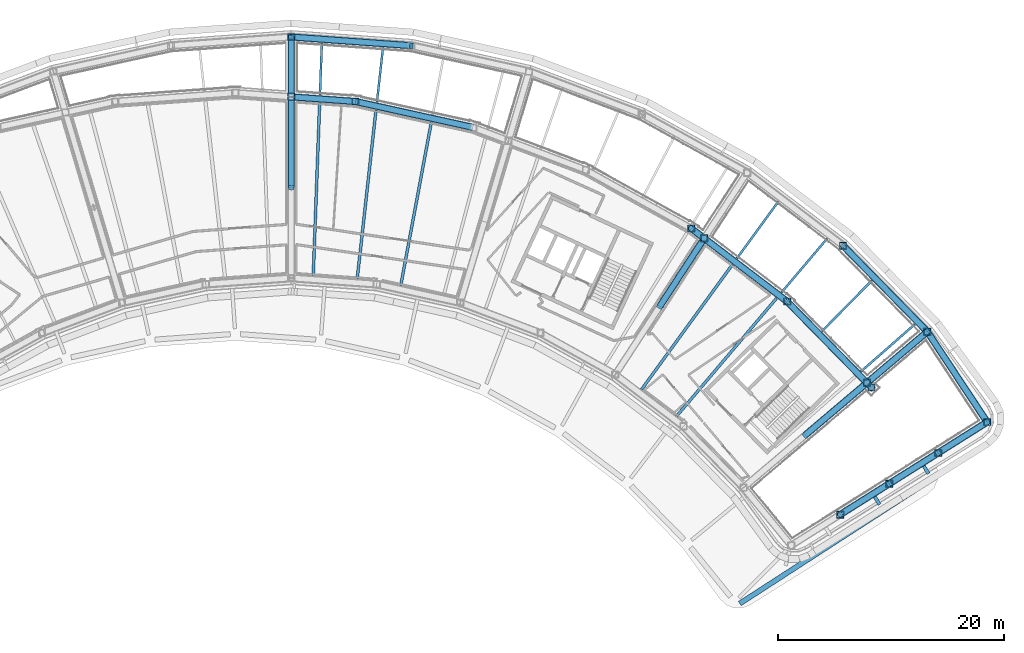
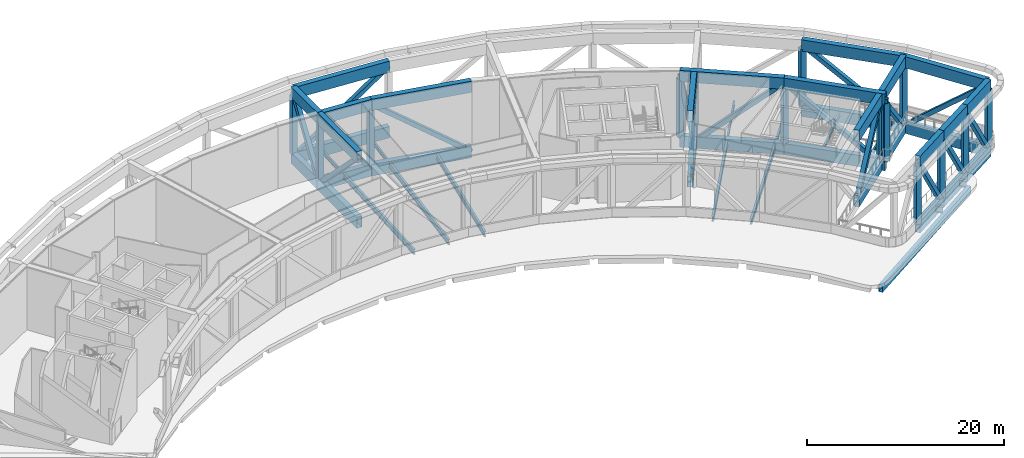
# One storey, part 4 of 27: 44 beams, 31 members.
"""IFC4 building model written with IfcOpenShell, lengths in metres."""

from ifc_helpers import new_model, si_unit, direction, frame, origin, origin_2d, place, context, subcontext, project, spatial, hollow_rectangle, i_section, extrude, material, material_profile, profile_set, type_object, element, save


model = new_model("IFC4")

# Units and contexts
model_context = context("Model", 3, precision=1e-05, world=origin(), true_north=direction((0.0, 1.0)))
body_context = subcontext(model_context, "Body", "Model", "MODEL_VIEW")
ifc_project = project(units=[si_unit("LENGTHUNIT", "METRE"), si_unit("AREAUNIT", "SQUARE_METRE"), si_unit("VOLUMEUNIT", "CUBIC_METRE"), si_unit("PLANEANGLEUNIT", "RADIAN"), si_unit("MASSUNIT", "GRAM", prefix="KILO")], contexts=[model_context])

# Site, building, storey
site_placement = place(None, origin())
site = spatial("IfcSite", under=ifc_project, at=site_placement, CompositionType="ELEMENT")
building_placement = place(site_placement, origin())
building = spatial("IfcBuilding", under=site, at=building_placement, Name="Tuul Gate Civic Tower", CompositionType="ELEMENT")
storey_placement = place(building_placement, frame((0.0, 0.0, 201.5)))
storey = spatial("IfcBuildingStorey", under=building, at=storey_placement, Name="Wind floor 1", CompositionType="ELEMENT", Elevation=201.5)

# Beams
ifc_material_1 = material(Name="Steel S355", Category="steel")
ifc_material_profile_1 = material_profile(ifc_material_1, i_section(OverallWidth=0.199951171875, OverallDepth=0.5, WebThickness=0.010009765625, FlangeThickness=0.01611328125, at=origin_2d()), Name="PG500x200x10x16")
ifc_profile_set_1 = profile_set([ifc_material_profile_1], Name="Steel S355")
beam_type_1 = type_object("IfcBeamType", Name="STR-FLOOR BEAM-PG500x200x10x16", PredefinedType="BEAM", material=ifc_profile_set_1)
beam_1_placement = place(storey_placement, frame((56.446044921875, -11.065673828125, -0.64990234375), z_axis=(0.752046754274, 0.659109762775, 0.0), x_axis=(-0.659109762775, 0.752046754274, 0.0)))
element("IfcBeam", 1, at=beam_1_placement, inside=storey, type_object=beam_type_1, Name="Floor beam", PredefinedType="BEAM", context=body_context, shape_type="SweptSolid", body=[
    extrude(i_section(OverallWidth=0.199951171875, OverallDepth=0.5, WebThickness=0.010009765625, FlangeThickness=0.01611328125, at=origin_2d()), origin(), (0.0, 0.0, 1.0), 6.309814453125),
])
beam_2_placement = place(storey_placement, frame((52.968994140625, -7.518798828125, -0.64990234375), z_axis=(0.701231873551, 0.712933278447, 0.0), x_axis=(-0.712933278447, 0.701231873551, 0.0)))
element("IfcBeam", 2, at=beam_2_placement, inside=storey, type_object=beam_type_1, Name="Floor beam", PredefinedType="BEAM", context=body_context, shape_type="SweptSolid", body=[
    extrude(i_section(OverallWidth=0.199951171875, OverallDepth=0.5, WebThickness=0.010009765625, FlangeThickness=0.01611328125, at=origin_2d()), origin(), (0.0, 0.0, 1.0), 6.301025390625),
])
beam_3_placement = place(storey_placement, frame((49.397705078125, -4.0625, -0.64990234375), z_axis=(0.646606141583, 0.762824027982, 0.0), x_axis=(-0.762824027982, 0.646606141583, 0.0)))
element("IfcBeam", 3, at=beam_3_placement, inside=storey, type_object=beam_type_1, Name="Floor beam", PredefinedType="BEAM", context=body_context, shape_type="SweptSolid", body=[
    extrude(i_section(OverallWidth=0.199951171875, OverallDepth=0.5, WebThickness=0.010009765625, FlangeThickness=0.01611328125, at=origin_2d()), origin(), (0.0, 0.0, 1.0), 6.245361328125),
])
beam_4_placement = place(storey_placement, frame((45.442626953125, -1.05126953125, -0.64990234375), z_axis=(0.588422974792, 0.808553277612, 0.0), x_axis=(-0.808553277612, 0.588422974792, 0.0)))
element("IfcBeam", 4, at=beam_4_placement, inside=storey, type_object=beam_type_1, Name="Floor beam", PredefinedType="BEAM", context=body_context, shape_type="SweptSolid", body=[
    extrude(i_section(OverallWidth=0.199951171875, OverallDepth=0.5, WebThickness=0.010009765625, FlangeThickness=0.01611328125, at=origin_2d()), origin(), (0.0, 0.0, 1.0), 6.238525390625),
])
beam_5_placement = place(storey_placement, frame((13.533203125, 12.784912109375, -0.64990234375), z_axis=(0.110783640195, 0.993844547736, 0.0), x_axis=(-0.993844547736, 0.110783640195, 0.0)))
element("IfcBeam", 5, at=beam_5_placement, inside=storey, type_object=beam_type_1, Name="Floor beam", PredefinedType="BEAM", context=body_context, shape_type="SweptSolid", body=[
    extrude(i_section(OverallWidth=0.199951171875, OverallDepth=0.5, WebThickness=0.010009765625, FlangeThickness=0.01611328125, at=origin_2d()), origin(), (0.0, 0.0, 1.0), 4.870361328125),
])
beam_6_placement = place(storey_placement, frame((8.485107421875, 13.423583984375, -0.64990234375), z_axis=(0.037015588974, 0.99931468826, 0.0), x_axis=(-0.99931468826, 0.037015588974, 0.0)))
element("IfcBeam", 6, at=beam_6_placement, inside=storey, type_object=beam_type_1, Name="Floor beam", PredefinedType="BEAM", context=body_context, shape_type="SweptSolid", body=[
    extrude(i_section(OverallWidth=0.199951171875, OverallDepth=0.5, WebThickness=0.010009765625, FlangeThickness=0.01611328125, at=origin_2d()), origin(), (0.0, 0.0, 1.0), 4.59716796875),
])
ifc_material_2 = material(Name="Steel S355", Category="steel")
ifc_material_profile_2 = material_profile(ifc_material_2, i_section(OverallWidth=0.25, OverallDepth=0.64990234375, WebThickness=0.011962890625, FlangeThickness=0.02001953125, at=origin_2d()), Name="PG650x250x12x20")
ifc_profile_set_2 = profile_set([ifc_material_profile_2], Name="Steel S355")
beam_type_2 = type_object("IfcBeamType", Name="STR-FLOOR BEAM-PG650x250x12x20", PredefinedType="BEAM", material=ifc_profile_set_2)
beam_7_placement = place(storey_placement, frame((40.097412109375, -15.03466796875, -0.72509765625), z_axis=(0.64659949061, 0.762829665615, 0.0), x_axis=(-0.762829665615, 0.64659949061, 0.0)))
element("IfcBeam", 7, at=beam_7_placement, inside=storey, type_object=beam_type_2, Name="Floor beam", PredefinedType="BEAM", context=body_context, shape_type="SweptSolid", body=[
    extrude(i_section(OverallWidth=0.25, OverallDepth=0.64990234375, WebThickness=0.011962890625, FlangeThickness=0.02001953125, at=origin_2d()), origin(), (0.0, 0.0, 1.0), 13.6826171875),
])
beam_8_placement = place(storey_placement, frame((36.98876953125, -12.667724609375, -0.72509765625), z_axis=(0.588419157636, 0.808556055525, 0.0), x_axis=(-0.808556055525, 0.588419157636, 0.0)))
element("IfcBeam", 8, at=beam_8_placement, inside=storey, type_object=beam_type_2, Name="Floor beam", PredefinedType="BEAM", context=body_context, shape_type="SweptSolid", body=[
    extrude(i_section(OverallWidth=0.25, OverallDepth=0.64990234375, WebThickness=0.011962890625, FlangeThickness=0.02001953125, at=origin_2d()), origin(), (0.0, 0.0, 1.0), 13.666748046875),
])
beam_9_placement = place(storey_placement, frame((15.650146484375, -3.451904296875, -0.72509765625), z_axis=(0.18398085358, 0.982929827361, 0.0), x_axis=(-0.982929827361, 0.18398085358, 0.0)))
element("IfcBeam", 9, at=beam_9_placement, inside=storey, type_object=beam_type_2, Name="Floor beam", PredefinedType="BEAM", context=body_context, shape_type="SweptSolid", body=[
    extrude(i_section(OverallWidth=0.25, OverallDepth=0.64990234375, WebThickness=0.011962890625, FlangeThickness=0.02001953125, at=origin_2d()), origin(), (0.0, 0.0, 1.0), 14.708251953125),
])
beam_10_placement = place(storey_placement, frame((11.788818359375, -2.863037109375, -0.72509765625), z_axis=(0.11078069669, 0.993844875844, 0.0), x_axis=(-0.993844875844, 0.11078069669, 0.0)))
element("IfcBeam", 10, at=beam_10_placement, inside=storey, type_object=beam_type_2, Name="Floor beam", PredefinedType="BEAM", context=body_context, shape_type="SweptSolid", body=[
    extrude(i_section(OverallWidth=0.25, OverallDepth=0.64990234375, WebThickness=0.011962890625, FlangeThickness=0.02001953125, at=origin_2d()), origin(), (0.0, 0.0, 1.0), 15.041015625),
])
beam_11_placement = place(storey_placement, frame((7.892578125, -2.58056640625, -0.72509765625), z_axis=(0.037000457711, 0.999315248622, 0.0), x_axis=(-0.999315248622, 0.037000457711, 0.0)))
element("IfcBeam", 11, at=beam_11_placement, inside=storey, type_object=beam_type_2, Name="Floor beam", PredefinedType="BEAM", context=body_context, shape_type="SweptSolid", body=[
    extrude(i_section(OverallWidth=0.25, OverallDepth=0.64990234375, WebThickness=0.011962890625, FlangeThickness=0.02001953125, at=origin_2d()), origin(), (0.0, 0.0, 1.0), 15.314697265625),
])
ifc_material_3 = material(Name="Steel S355", Category="steel")
ifc_material_profile_3 = material_profile(ifc_material_3, i_section(OverallWidth=0.300048828125, OverallDepth=0.800048828125, WebThickness=0.013916015625, FlangeThickness=0.02490234375, at=origin_2d()), Name="PG800x300x14x25")
ifc_profile_set_3 = profile_set([ifc_material_profile_3], Name="Steel S355")
beam_type_3 = type_object("IfcBeamType", Name="STR-FLOOR BEAM-PG800x300x14x25", PredefinedType="BEAM", material=ifc_profile_set_3)
beam_12_placement = place(storey_placement, frame((62.421142578125, -20.13232421875, -0.800048828125), z_axis=(-0.533007130876, 0.846110748328, 0.0), x_axis=(-0.846110748328, -0.533007130876, 0.0)))
element("IfcBeam", 12, at=beam_12_placement, inside=storey, type_object=beam_type_3, Name="Terrace beam", PredefinedType="BEAM", context=body_context, shape_type="SweptSolid", body=[
    extrude(i_section(OverallWidth=0.300048828125, OverallDepth=0.800048828125, WebThickness=0.013916015625, FlangeThickness=0.02490234375, at=origin_2d()), origin(), (0.0, 0.0, 1.0), 0.801513671875),
])
beam_13_placement = place(storey_placement, frame((58.078125, -22.8662109375, -0.800048828125), z_axis=(-0.532902261273, 0.846176801815, 0.0), x_axis=(-0.846176801815, -0.532902261273, 0.0)))
element("IfcBeam", 13, at=beam_13_placement, inside=storey, type_object=beam_type_3, Name="Terrace beam", PredefinedType="BEAM", context=body_context, shape_type="SweptSolid", body=[
    extrude(i_section(OverallWidth=0.300048828125, OverallDepth=0.800048828125, WebThickness=0.013916015625, FlangeThickness=0.02490234375, at=origin_2d()), origin(), (0.0, 0.0, 1.0), 0.80029296875),
])
ifc_material_4 = material(Name="Steel S355", Category="steel")
ifc_material_profile_4 = material_profile(ifc_material_4, hollow_rectangle(XDim=0.449951171875, YDim=0.89990234375, WallThickness=0.02490234375, at=origin_2d()), Name="BOX900x450x25")
ifc_profile_set_4 = profile_set([ifc_material_profile_4], Name="Steel S355")
beam_type_4 = type_object("IfcBeamType", Name="STR-SPANDREL BEAM-BOX900x450x25", PredefinedType="BEAM", material=ifc_profile_set_4)
beam_14_placement = place(storey_placement, frame((45.698486328125, -31.638671875, -0.85009765625), z_axis=(0.839483418341, 0.54338530559, 0.0), x_axis=(-0.54338530559, 0.839483418341, 0.0)))
element("IfcBeam", 14, at=beam_14_placement, inside=storey, type_object=beam_type_4, Name="Terrace edge beam", PredefinedType="BEAM", context=body_context, shape_type="SweptSolid", body=[
    extrude(hollow_rectangle(XDim=0.449951171875, YDim=0.89990234375, WallThickness=0.02490234375, at=origin_2d()), origin(), (0.0, 0.0, 1.0), 19.7119140625),
])
ifc_material_5 = material(Name="Steel S460", Category="steel")
ifc_material_profile_5 = material_profile(ifc_material_5, hollow_rectangle(XDim=0.60009765625, YDim=1.39990234375, WallThickness=0.031982421875, at=origin_2d()), Name="BOX1400x600x32")
ifc_profile_set_5 = profile_set([ifc_material_profile_5], Name="Steel S460")
beam_type_5 = type_object("IfcBeamType", Name="STR-TRANSFER TRUSS CHORD-BOX1400x600x32", PredefinedType="BEAM", material=ifc_profile_set_5)
for number, where, z_axis, x_axis, name in (
    (15, (42.375, 0.467529296875, -1.10009765625), (-0.546713472046, -0.837319759401, 0.0), (0.837319759401, -0.546713472046, 0.0), "Radial truss bottom chord"),
    (16, (42.375, 0.467529296875, 7.0), (-0.546713472046, -0.837319759401, 0.0), (0.837319759401, -0.546713472046, 0.0), "Radial truss top chord"),
):
    element("IfcBeam", number, at=place(storey_placement, frame(where, z_axis=z_axis, x_axis=x_axis)), inside=storey, type_object=beam_type_5, Name=name, PredefinedType="BEAM", context=body_context, shape_type="SweptSolid", body=[
        extrude(hollow_rectangle(XDim=0.60009765625, YDim=1.39990234375, WallThickness=0.031982421875, at=origin_2d()), origin(), (0.0, 0.0, 1.0), 6.89990234375),
    ])
beam_15_placement = place(storey_placement, frame((62.31201171875, -7.550048828125, -1.10009765625), z_axis=(-0.762829057606, -0.646600207912, 0.0), x_axis=(0.646600207912, -0.762829057606, 0.0)))
element("IfcBeam", 17, at=beam_15_placement, inside=storey, type_object=beam_type_5, Name="Radial truss bottom chord", PredefinedType="BEAM", context=body_context, shape_type="SweptSolid", body=[
    extrude(hollow_rectangle(XDim=0.60009765625, YDim=1.39990234375, WallThickness=0.031982421875, at=origin_2d()), origin(), (0.0, 0.0, 1.0), 6.717529296875),
])
beam_16_placement = place(storey_placement, frame((56.728759765625, -12.28271484375, -1.10009765625), z_axis=(-0.762833192599, -0.646595329607, 0.0), x_axis=(0.646595329607, -0.762833192599, 0.0)))
element("IfcBeam", 18, at=beam_16_placement, inside=storey, type_object=beam_type_5, Name="Radial truss bottom chord", PredefinedType="BEAM", context=body_context, shape_type="SweptSolid", body=[
    extrude(hollow_rectangle(XDim=0.60009765625, YDim=1.39990234375, WallThickness=0.031982421875, at=origin_2d()), origin(), (0.0, 0.0, 1.0), 6.8681640625),
])
beam_17_placement = place(storey_placement, frame((62.31201171875, -7.550048828125, 7.0), z_axis=(-0.762829057606, -0.646600207912, 0.0), x_axis=(0.646600207912, -0.762829057606, 0.0)))
element("IfcBeam", 19, at=beam_17_placement, inside=storey, type_object=beam_type_5, Name="Radial truss top chord", PredefinedType="BEAM", context=body_context, shape_type="SweptSolid", body=[
    extrude(hollow_rectangle(XDim=0.60009765625, YDim=1.39990234375, WallThickness=0.031982421875, at=origin_2d()), origin(), (0.0, 0.0, 1.0), 6.717529296875),
])
beam_18_placement = place(storey_placement, frame((56.728759765625, -12.28271484375, 7.0), z_axis=(-0.762833192599, -0.646595329607, 0.0), x_axis=(0.646595329607, -0.762833192599, 0.0)))
element("IfcBeam", 20, at=beam_18_placement, inside=storey, type_object=beam_type_5, Name="Radial truss top chord", PredefinedType="BEAM", context=body_context, shape_type="SweptSolid", body=[
    extrude(hollow_rectangle(XDim=0.60009765625, YDim=1.39990234375, WallThickness=0.031982421875, at=origin_2d()), origin(), (0.0, 0.0, 1.0), 6.8681640625),
])
beam_19_placement = place(storey_placement, frame((5.93994140625, 18.56494140625, -1.10009765625), z_axis=(0.0, -1.0, 0.0), x_axis=(1.0, 0.0, 0.0)))
element("IfcBeam", 21, at=beam_19_placement, inside=storey, type_object=beam_type_5, Name="Radial truss bottom chord", PredefinedType="BEAM", context=body_context, shape_type="SweptSolid", body=[
    extrude(hollow_rectangle(XDim=0.60009765625, YDim=1.39990234375, WallThickness=0.031982421875, at=origin_2d()), origin(), (0.0, 0.0, 1.0), 5.307861328125),
])
beam_20_placement = place(storey_placement, frame((5.93994140625, 13.257080078125, -1.10009765625), z_axis=(0.0, -1.0, 0.0), x_axis=(1.0, 0.0, 0.0)))
element("IfcBeam", 22, at=beam_20_placement, inside=storey, type_object=beam_type_5, Name="Radial truss bottom chord", PredefinedType="BEAM", context=body_context, shape_type="SweptSolid", body=[
    extrude(hollow_rectangle(XDim=0.60009765625, YDim=1.39990234375, WallThickness=0.031982421875, at=origin_2d()), origin(), (0.0, 0.0, 1.0), 8.0234375),
])
beam_21_placement = place(storey_placement, frame((5.93994140625, 18.56494140625, 7.0), z_axis=(0.0, -1.0, 0.0), x_axis=(1.0, 0.0, 0.0)))
element("IfcBeam", 23, at=beam_21_placement, inside=storey, type_object=beam_type_5, Name="Radial truss top chord", PredefinedType="BEAM", context=body_context, shape_type="SweptSolid", body=[
    extrude(hollow_rectangle(XDim=0.60009765625, YDim=1.39990234375, WallThickness=0.031982421875, at=origin_2d()), origin(), (0.0, 0.0, 1.0), 5.307861328125),
])
beam_22_placement = place(storey_placement, frame((5.93994140625, 13.257080078125, 7.0), z_axis=(0.0, -1.0, 0.0), x_axis=(1.0, 0.0, 0.0)))
element("IfcBeam", 24, at=beam_22_placement, inside=storey, type_object=beam_type_5, Name="Radial truss top chord", PredefinedType="BEAM", context=body_context, shape_type="SweptSolid", body=[
    extrude(hollow_rectangle(XDim=0.60009765625, YDim=1.39990234375, WallThickness=0.031982421875, at=origin_2d()), origin(), (0.0, 0.0, 1.0), 8.0234375),
])
for number, where, z_axis, x_axis, name in (
    (25, (22.06689453125, 10.5458984375, -1.10009765625), (-0.976566967592, 0.215213749115, 0.0), (-0.215213749115, -0.976566967592, 0.0), "Belt truss bottom chord"),
    (26, (22.06689453125, 10.5458984375, 7.0), (-0.976566967592, 0.215213749115, 0.0), (-0.215213749115, -0.976566967592, 0.0), "Belt truss top chord"),
):
    element("IfcBeam", number, at=place(storey_placement, frame(where, z_axis=z_axis, x_axis=x_axis)), inside=storey, type_object=beam_type_5, Name=name, PredefinedType="BEAM", context=body_context, shape_type="SweptSolid", body=[
        extrude(hollow_rectangle(XDim=0.60009765625, YDim=1.39990234375, WallThickness=0.031982421875, at=origin_2d()), origin(), (0.0, 0.0, 1.0), 10.67822265625),
    ])
for number, where, z_axis, x_axis, name in (
    (27, (57.362060546875, -12.5, -1.10009765625), (-0.700052665808, 0.714091216229, 0.0), (-0.714091216229, -0.700052665808, 0.0), "Belt truss bottom chord"),
    (28, (57.362060546875, -12.5, 7.0), (-0.700052665808, 0.714091216229, 0.0), (-0.714091216229, -0.700052665808, 0.0), "Belt truss top chord"),
    (29, (62.31201171875, -7.550048828125, -1.10009765625), (-0.700052665808, 0.714091216229, 0.0), (-0.714091216229, -0.700052665808, 0.0), "Belt truss bottom chord"),
    (30, (62.31201171875, -7.550048828125, 7.0), (-0.700052665808, 0.714091216229, 0.0), (-0.714091216229, -0.700052665808, 0.0), "Belt truss top chord"),
):
    element("IfcBeam", number, at=place(storey_placement, frame(where, z_axis=z_axis, x_axis=x_axis)), inside=storey, type_object=beam_type_5, Name=name, PredefinedType="BEAM", context=body_context, shape_type="SweptSolid", body=[
        extrude(hollow_rectangle(XDim=0.60009765625, YDim=1.39990234375, WallThickness=0.031982421875, at=origin_2d()), origin(), (0.0, 0.0, 1.0), 10.677978515625),
    ])
for number, where, z_axis, x_axis, name in (
    (31, (49.886962890625, -4.875, -1.10009765625), (-0.795624318965, 0.605790345806, 0.0), (-0.605790345806, -0.795624318965, 0.0), "Belt truss bottom chord"),
    (32, (49.886962890625, -4.875, 7.0), (-0.795624318965, 0.605790345806, 0.0), (-0.605790345806, -0.795624318965, 0.0), "Belt truss top chord"),
):
    element("IfcBeam", number, at=place(storey_placement, frame(where, z_axis=z_axis, x_axis=x_axis)), inside=storey, type_object=beam_type_5, Name=name, PredefinedType="BEAM", context=body_context, shape_type="SweptSolid", body=[
        extrude(hollow_rectangle(XDim=0.60009765625, YDim=1.39990234375, WallThickness=0.031982421875, at=origin_2d()), origin(), (0.0, 0.0, 1.0), 10.677001953125),
    ])
for number, where, z_axis, x_axis, name in (
    (33, (11.638916015625, 12.843994140625, -1.10009765625), (-0.997383052306, 0.072298319293, 0.0), (-0.072298319293, -0.997383052306, 0.0), "Belt truss bottom chord"),
    (34, (11.638916015625, 12.843994140625, 7.0), (-0.997383052306, 0.072298319293, 0.0), (-0.072298319293, -0.997383052306, 0.0), "Belt truss top chord"),
):
    element("IfcBeam", number, at=place(storey_placement, frame(where, z_axis=z_axis, x_axis=x_axis)), inside=storey, type_object=beam_type_5, Name=name, PredefinedType="BEAM", context=body_context, shape_type="SweptSolid", body=[
        extrude(hollow_rectangle(XDim=0.60009765625, YDim=1.39990234375, WallThickness=0.031982421875, at=origin_2d()), origin(), (0.0, 0.0, 1.0), 5.4130859375),
    ])
for number, where, z_axis, x_axis, name in (
    (35, (16.589111328125, 17.7939453125, -1.10009765625), (-0.997389404407, 0.07221063617, 0.0), (-0.07221063617, -0.997389404407, 0.0), "Belt truss bottom chord"),
    (36, (16.589111328125, 17.7939453125, 7.0), (-0.997389404407, 0.07221063617, 0.0), (-0.07221063617, -0.997389404407, 0.0), "Belt truss top chord"),
):
    element("IfcBeam", number, at=place(storey_placement, frame(where, z_axis=z_axis, x_axis=x_axis)), inside=storey, type_object=beam_type_5, Name=name, PredefinedType="BEAM", context=body_context, shape_type="SweptSolid", body=[
        extrude(hollow_rectangle(XDim=0.60009765625, YDim=1.39990234375, WallThickness=0.031982421875, at=origin_2d()), origin(), (0.0, 0.0, 1.0), 10.677001953125),
    ])
for number, where, z_axis, x_axis, name in (
    (37, (67.611083984375, -15.56298828125, -1.10009765625), (-0.551605665118, 0.834105023489, 0.0), (-0.834105023489, -0.551605665118, 0.0), "Belt truss bottom chord"),
    (38, (67.611083984375, -15.56298828125, 7.0), (-0.551605665118, 0.834105023489, 0.0), (-0.834105023489, -0.551605665118, 0.0), "Belt truss top chord"),
):
    element("IfcBeam", number, at=place(storey_placement, frame(where, z_axis=z_axis, x_axis=x_axis)), inside=storey, type_object=beam_type_5, Name=name, PredefinedType="BEAM", context=body_context, shape_type="SweptSolid", body=[
        extrude(hollow_rectangle(XDim=0.60009765625, YDim=1.39990234375, WallThickness=0.031982421875, at=origin_2d()), origin(), (0.0, 0.0, 1.0), 9.606689453125),
    ])
for number, where, z_axis, x_axis, name in (
    (39, (54.5830078125, -23.76708984375, -1.10009765625), (0.846178819959, 0.53289905672, 0.0), (-0.53289905672, 0.846178819959, 0.0), "Belt truss bottom chord"),
    (40, (54.5830078125, -23.76708984375, 7.0), (0.846178819959, 0.53289905672, 0.0), (-0.53289905672, 0.846178819959, 0.0), "Belt truss top chord"),
):
    element("IfcBeam", number, at=place(storey_placement, frame(where, z_axis=z_axis, x_axis=x_axis)), inside=storey, type_object=beam_type_5, Name=name, PredefinedType="BEAM", context=body_context, shape_type="SweptSolid", body=[
        extrude(hollow_rectangle(XDim=0.60009765625, YDim=1.39990234375, WallThickness=0.031982421875, at=origin_2d()), origin(), (0.0, 0.0, 1.0), 5.132568359375),
    ])
for number, where, z_axis, x_axis, name in (
    (41, (63.26806640625, -18.297119140625, -1.10009765625), (0.846264615796, 0.53276279905, 0.0), (-0.53276279905, 0.846264615796, 0.0), "Belt truss bottom chord"),
    (42, (63.26806640625, -18.297119140625, 7.0), (0.846264615796, 0.53276279905, 0.0), (-0.53276279905, 0.846264615796, 0.0), "Belt truss top chord"),
):
    element("IfcBeam", number, at=place(storey_placement, frame(where, z_axis=z_axis, x_axis=x_axis)), inside=storey, type_object=beam_type_5, Name=name, PredefinedType="BEAM", context=body_context, shape_type="SweptSolid", body=[
        extrude(hollow_rectangle(XDim=0.60009765625, YDim=1.39990234375, WallThickness=0.031982421875, at=origin_2d()), origin(), (0.0, 0.0, 1.0), 5.132080078125),
    ])
for number, where, z_axis, x_axis, name in (
    (43, (58.926025390625, -21.031982421875, -1.10009765625), (0.846146228652, 0.532950804237, 0.0), (-0.532950804237, 0.846146228652, 0.0), "Belt truss bottom chord"),
    (44, (58.926025390625, -21.031982421875, 7.0), (0.846146228652, 0.532950804237, 0.0), (-0.532950804237, 0.846146228652, 0.0), "Belt truss top chord"),
):
    element("IfcBeam", number, at=place(storey_placement, frame(where, z_axis=z_axis, x_axis=x_axis)), inside=storey, type_object=beam_type_5, Name=name, PredefinedType="BEAM", context=body_context, shape_type="SweptSolid", body=[
        extrude(hollow_rectangle(XDim=0.60009765625, YDim=1.39990234375, WallThickness=0.031982421875, at=origin_2d()), origin(), (0.0, 0.0, 1.0), 5.131591796875),
    ])

# Members
ifc_material_6 = material(Name="Steel S355", Category="steel")
ifc_material_profile_6 = material_profile(ifc_material_6, hollow_rectangle(XDim=0.5, YDim=0.5, WallThickness=0.02001953125, at=origin_2d()), Name="BOX500x500x20")
ifc_profile_set_6 = profile_set([ifc_material_profile_6], Name="Steel S355")
member_type_1 = type_object("IfcMemberType", Name="STR-TRANSFER TRUSS DIAGONAL-BOX500x500x20", PredefinedType="BRACE", material=ifc_profile_set_6)
member_1_placement = place(storey_placement, frame((38.600830078125, -5.3125, -1.103759765625), z_axis=(0.36324731629, 0.556304037426, 0.747380227965), x_axis=(-0.837307215593, 0.546732683051, 0.0)))
element("IfcMember", 45, at=member_1_placement, inside=storey, type_object=member_type_1, Name="Radial truss web", PredefinedType="BRACE", context=body_context, shape_type="SweptSolid", body=[
    extrude(hollow_rectangle(XDim=0.5, YDim=0.5, WallThickness=0.02001953125, at=origin_2d()), origin(), (0.0, 0.0, 1.0), 10.847900390625),
])
member_2_placement = place(storey_placement, frame((62.314453125, -7.5478515625, -1.103759765625), z_axis=(-0.499523433728, -0.423442207296, 0.755759906476), x_axis=(0.646625909563, -0.762807271257, 0.0)))
element("IfcMember", 46, at=member_2_placement, inside=storey, type_object=member_type_1, Name="Radial truss web", PredefinedType="BRACE", context=body_context, shape_type="SweptSolid", body=[
    extrude(hollow_rectangle(XDim=0.5, YDim=0.5, WallThickness=0.02001953125, at=origin_2d()), origin(), (0.0, 0.0, 1.0), 10.7275390625),
])
member_3_placement = place(storey_placement, frame((51.487060546875, -16.7255859375, -1.103759765625), z_axis=(0.50556829933, 0.428537910815, 0.748836399828), x_axis=(-0.646600902187, 0.762828469114, 0.0)))
element("IfcMember", 47, at=member_3_placement, inside=storey, type_object=member_type_1, Name="Radial truss web", PredefinedType="BRACE", context=body_context, shape_type="SweptSolid", body=[
    extrude(hollow_rectangle(XDim=0.5, YDim=0.5, WallThickness=0.02001953125, at=origin_2d()), origin(), (0.0, 0.0, 1.0), 10.82666015625),
])
member_4_placement = place(storey_placement, frame((5.93994140625, 13.25439453125, -1.104248046875), z_axis=(0.0, 0.54808640913, 0.836421716676), x_axis=(-1.0, 0.0, 0.0)))
element("IfcMember", 48, at=member_4_placement, inside=storey, type_object=member_type_1, Name="Radial truss web", PredefinedType="BRACE", context=body_context, shape_type="SweptSolid", body=[
    extrude(hollow_rectangle(XDim=0.5, YDim=0.5, WallThickness=0.02001953125, at=origin_2d()), origin(), (0.0, 0.0, 1.0), 9.694091796875),
])
member_5_placement = place(storey_placement, frame((5.93994140625, 13.2607421875, -1.103515625), z_axis=(0.0, -0.703750615051, 0.710447092904), x_axis=(1.0, 0.0, 0.0)))
element("IfcMember", 49, at=member_5_placement, inside=storey, type_object=member_type_1, Name="Radial truss web", PredefinedType="BRACE", context=body_context, shape_type="SweptSolid", body=[
    extrude(hollow_rectangle(XDim=0.5, YDim=0.5, WallThickness=0.02001953125, at=origin_2d()), origin(), (0.0, 0.0, 1.0), 11.411376953125),
])
member_6_placement = place(storey_placement, frame((22.07080078125, 10.545166015625, -1.10302734375), z_axis=(-0.778051119542, 0.171464300996, 0.604347953469), x_axis=(-0.215212614128, -0.976567217717, 0.0)))
element("IfcMember", 50, at=member_6_placement, inside=storey, type_object=member_type_1, Name="Belt truss web", PredefinedType="BRACE", context=body_context, shape_type="SweptSolid", body=[
    extrude(hollow_rectangle(XDim=0.5, YDim=0.5, WallThickness=0.02001953125, at=origin_2d()), origin(), (0.0, 0.0, 1.0), 13.412841796875),
])
member_7_placement = place(storey_placement, frame((56.9580078125, -12.087890625, -1.10498046875), z_axis=(0.049726577753, -0.050717505933, 0.997474311477), x_axis=(0.714047975114, 0.700096771337, 0.0)))
element("IfcMember", 51, at=member_7_placement, inside=storey, type_object=member_type_1, Name="Belt truss web", PredefinedType="BRACE", context=body_context, shape_type="SweptSolid", body=[
    extrude(hollow_rectangle(XDim=0.5, YDim=0.5, WallThickness=0.02001953125, at=origin_2d()), origin(), (0.0, 0.0, 1.0), 8.13037109375),
])
member_8_placement = place(storey_placement, frame((56.9609375, -12.0908203125, -1.10302734375), z_axis=(-0.546144534542, 0.557091542566, 0.625599840626), x_axis=(-0.714087989901, -0.70005595682, 0.0)))
element("IfcMember", 52, at=member_8_placement, inside=storey, type_object=member_type_1, Name="Belt truss web", PredefinedType="BRACE", context=body_context, shape_type="SweptSolid", body=[
    extrude(hollow_rectangle(XDim=0.5, YDim=0.5, WallThickness=0.02001953125, at=origin_2d()), origin(), (0.0, 0.0, 1.0), 12.95751953125),
])
member_9_placement = place(storey_placement, frame((62.314697265625, -7.552734375, -1.10302734375), z_axis=(-0.557731291457, 0.568925963267, 0.604366655971), x_axis=(-0.714097473294, -0.70004628321, 0.0)))
element("IfcMember", 53, at=member_9_placement, inside=storey, type_object=member_type_1, Name="Belt truss web", PredefinedType="BRACE", context=body_context, shape_type="SweptSolid", body=[
    extrude(hollow_rectangle(XDim=0.5, YDim=0.5, WallThickness=0.02001953125, at=origin_2d()), origin(), (0.0, 0.0, 1.0), 13.412353515625),
])
member_10_placement = place(storey_placement, frame((42.536376953125, 0.7216796875, -1.103271484375), z_axis=(0.598143336398, -0.45541902834, 0.659407353423), x_axis=(0.605782933009, 0.795629963033, 0.0)))
element("IfcMember", 54, at=member_10_placement, inside=storey, type_object=member_type_1, Name="Belt truss web", PredefinedType="BRACE", context=body_context, shape_type="SweptSolid", body=[
    extrude(hollow_rectangle(XDim=0.5, YDim=0.5, WallThickness=0.02001953125, at=origin_2d()), origin(), (0.0, 0.0, 1.0), 12.2939453125),
])
member_11_placement = place(storey_placement, frame((42.5400390625, 0.71875, -1.10498046875), z_axis=(-0.13944732678, 0.106193362774, 0.984518873743), x_axis=(-0.605854698871, -0.795575316268, 0.0)))
element("IfcMember", 55, at=member_11_placement, inside=storey, type_object=member_type_1, Name="Belt truss web", PredefinedType="BRACE", context=body_context, shape_type="SweptSolid", body=[
    extrude(hollow_rectangle(XDim=0.5, YDim=0.5, WallThickness=0.02001953125, at=origin_2d()), origin(), (0.0, 0.0, 1.0), 8.2373046875),
])
member_12_placement = place(storey_placement, frame((11.641845703125, 12.84375, -1.10400390625), z_axis=(-0.574932361616, 0.041679951238, 0.8171386426), x_axis=(-0.072305644331, -0.997382521302, 0.0)))
element("IfcMember", 56, at=member_12_placement, inside=storey, type_object=member_type_1, Name="Belt truss web", PredefinedType="BRACE", context=body_context, shape_type="SweptSolid", body=[
    extrude(hollow_rectangle(XDim=0.5, YDim=0.5, WallThickness=0.02001953125, at=origin_2d()), origin(), (0.0, 0.0, 1.0), 9.922607421875),
])
member_13_placement = place(storey_placement, frame((5.93603515625, 18.565185546875, -1.10302734375), z_axis=(0.7946049353, -0.057523346442, 0.604395616637), x_axis=(0.072203435551, 0.997389925703, 0.0)))
element("IfcMember", 57, at=member_13_placement, inside=storey, type_object=member_type_1, Name="Belt truss web", PredefinedType="BRACE", context=body_context, shape_type="SweptSolid", body=[
    extrude(hollow_rectangle(XDim=0.5, YDim=0.5, WallThickness=0.02001953125, at=origin_2d()), origin(), (0.0, 0.0, 1.0), 13.41162109375),
])
member_14_placement = place(storey_placement, frame((62.309814453125, -7.546875, -1.103271484375), z_axis=(0.421704824659, -0.637682459054, 0.644613157075), x_axis=(0.834107292134, 0.551602234594, 0.0)))
element("IfcMember", 58, at=member_14_placement, inside=storey, type_object=member_type_1, Name="Belt truss web", PredefinedType="BRACE", context=body_context, shape_type="SweptSolid", body=[
    extrude(hollow_rectangle(XDim=0.5, YDim=0.5, WallThickness=0.02001953125, at=origin_2d()), origin(), (0.0, 0.0, 1.0), 12.57568359375),
])
member_15_placement = place(storey_placement, frame((58.92822265625, -21.030517578125, -1.104248046875), z_axis=(-0.452900573898, -0.285215198275, 0.844709039158), x_axis=(0.532887628263, -0.846186017164, 0.0)))
element("IfcMember", 59, at=member_15_placement, inside=storey, type_object=member_type_1, Name="Belt truss web", PredefinedType="BRACE", context=body_context, shape_type="SweptSolid", body=[
    extrude(hollow_rectangle(XDim=0.5, YDim=0.5, WallThickness=0.02001953125, at=origin_2d()), origin(), (0.0, 0.0, 1.0), 9.59912109375),
])
member_16_placement = place(storey_placement, frame((67.61328125, -15.5615234375, -1.104248046875), z_axis=(-0.452933930528, -0.285118450203, 0.844723815179), x_axis=(0.53273007895, -0.846285213732, 0.0)))
element("IfcMember", 60, at=member_16_placement, inside=storey, type_object=member_type_1, Name="Belt truss web", PredefinedType="BRACE", context=body_context, shape_type="SweptSolid", body=[
    extrude(hollow_rectangle(XDim=0.5, YDim=0.5, WallThickness=0.02001953125, at=origin_2d()), origin(), (0.0, 0.0, 1.0), 9.598876953125),
])
member_17_placement = place(storey_placement, frame((63.270263671875, -18.295654296875, -1.104248046875), z_axis=(-0.452819700764, -0.285228339289, 0.844747958309), x_axis=(0.532973350316, -0.846132027436, 0.0)))
element("IfcMember", 61, at=member_17_placement, inside=storey, type_object=member_type_1, Name="Belt truss web", PredefinedType="BRACE", context=body_context, shape_type="SweptSolid", body=[
    extrude(hollow_rectangle(XDim=0.5, YDim=0.5, WallThickness=0.02001953125, at=origin_2d()), origin(), (0.0, 0.0, 1.0), 9.5986328125),
])
ifc_material_7 = material(Name="Steel S355", Category="steel")
ifc_material_profile_7 = material_profile(ifc_material_7, hollow_rectangle(XDim=0.60009765625, YDim=0.60009765625, WallThickness=0.028076171875, at=origin_2d()), Name="BOX600x600x28")
ifc_profile_set_7 = profile_set([ifc_material_profile_7], Name="Steel S355")
member_type_2 = type_object("IfcMemberType", Name="STR-TRUSS POST-BOX600x600x28", PredefinedType="POST", material=ifc_profile_set_7)
for number, where, z_axis, x_axis, name in (
    (62, (42.53955078125, 0.71923828125, -0.64501953125), (0.0, 0.0, 1.0), (1.0, 0.0, 0.0), "Radial truss post"),
    (63, (62.31201171875, -7.550048828125, -0.64501953125), (0.0, 0.0, 1.0), (1.0, 0.0, 0.0), "Radial truss post"),
    (64, (56.958251953125, -12.088134765625, -0.64501953125), (0.0, 0.0, 1.0), (1.0, 0.0, 0.0), "Radial truss post"),
    (65, (5.93994140625, 18.56494140625, -0.64501953125), (0.0, 0.0, 1.0), (1.0, 0.0, 0.0), "Radial truss post"),
    (66, (5.93994140625, 13.257080078125, -0.64501953125), (0.0, 0.0, 1.0), (1.0, 0.0, 0.0), "Radial truss post"),
    (67, (11.638916015625, 12.843994140625, -0.64501953125), (0.0, 0.0, 1.0), (1.0, 0.0, 0.0), "Belt truss post"),
    (68, (57.362060546875, -12.5, -0.64501953125), (0.0, 0.0, 1.0), (1.0, 0.0, 0.0), "Belt truss post"),
    (69, (49.886962890625, -4.875, -0.64501953125), (0.0, 0.0, 1.0), (1.0, 0.0, 0.0), "Belt truss post"),
    (70, (54.8369140625, 0.074951171875, -0.64501953125), (0.0, 0.0, 1.0), (1.0, 0.0, 0.0), "Belt truss post"),
    (71, (41.39208984375, 1.593017578125, -0.64501953125), (0.0, 0.0, 1.0), (1.0, 0.0, 0.0), "Belt truss post"),
    (72, (67.611083984375, -15.56298828125, -0.64501953125), (0.0, 0.0, 1.0), (1.0, 0.0, 0.0), "Belt truss post"),
    (73, (54.5830078125, -23.76708984375, -0.64501953125), (0.0, 0.0, 1.0), (1.0, 0.0, 0.0), "Belt truss post"),
    (74, (58.926025390625, -21.031982421875, -0.64501953125), (0.0, 0.0, 1.0), (1.0, 0.0, 0.0), "Belt truss post"),
    (75, (63.26806640625, -18.297119140625, -0.64501953125), (0.0, 0.0, 1.0), (1.0, 0.0, 0.0), "Belt truss post"),
):
    element("IfcMember", number, at=place(storey_placement, frame(where, z_axis=z_axis, x_axis=x_axis)), inside=storey, type_object=member_type_2, Name=name, PredefinedType="POST", context=body_context, shape_type="SweptSolid", body=[
        extrude(hollow_rectangle(XDim=0.60009765625, YDim=0.60009765625, WallThickness=0.028076171875, at=origin_2d()), origin(), (0.0, 0.0, 1.0), 7.18994140625),
    ])

save(model, "model.ifc")
